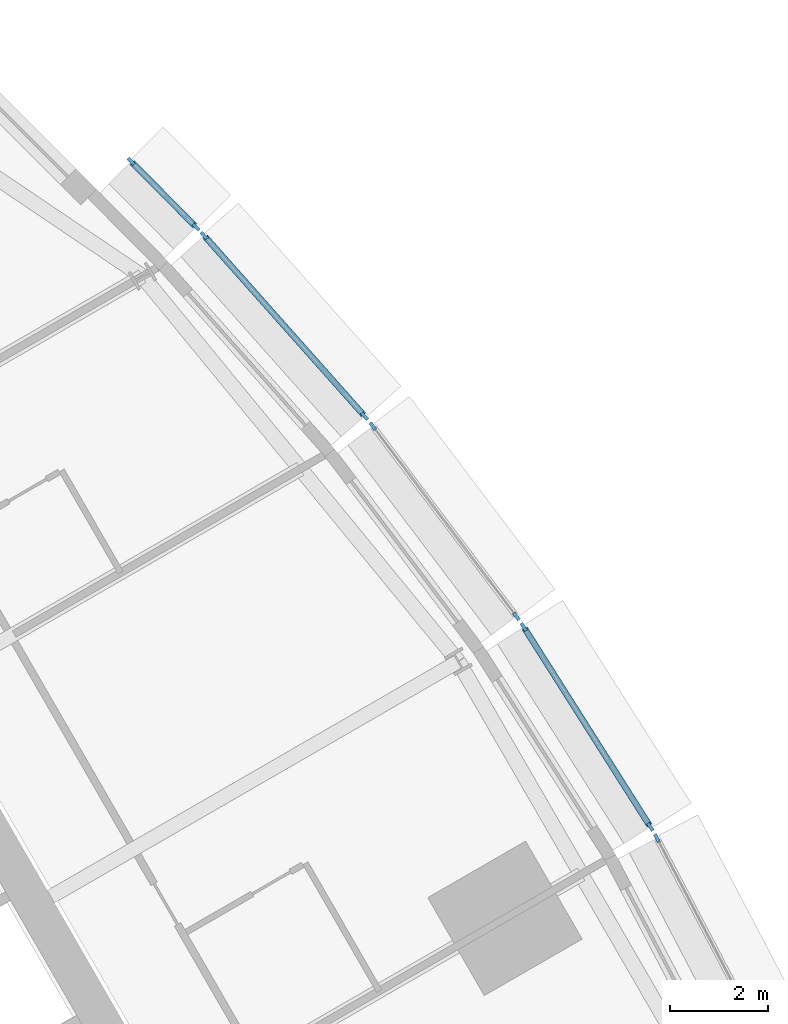
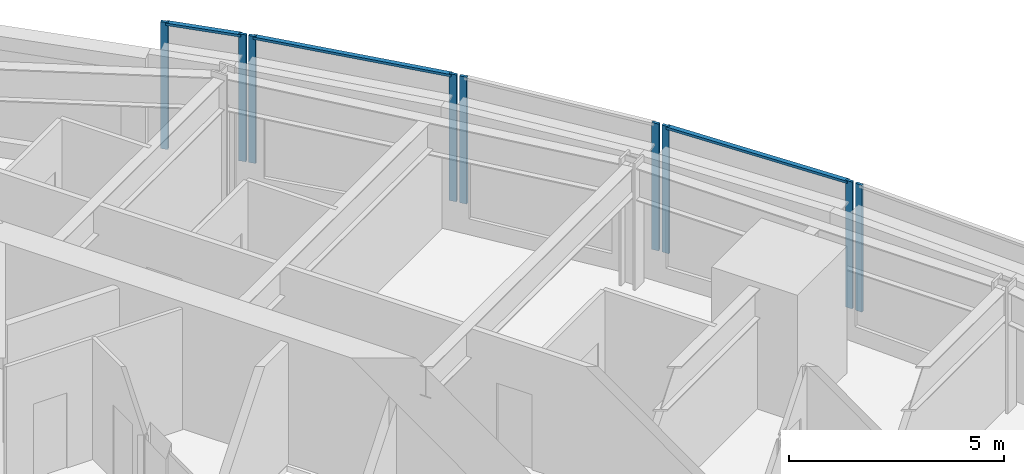
# One storey, part 6 of 15: 12 members, 5 elements without a shape of their own.
"""IFC4 building model written with IfcOpenShell, lengths in metres."""

from ifc_helpers import new_model, si_unit, direction, frame, origin, origin_2d, place, context, subcontext, project, spatial, rectangle, extrude, material, material_profile, profile_set, type_object, element, aggregate, save


model = new_model("IFC4")

# Units and contexts
model_context = context("Model", 3, precision=1e-05, world=origin(), true_north=direction((0.0, 1.0)))
body_context = subcontext(model_context, "Body", "Model", "MODEL_VIEW")
ifc_project = project(units=[si_unit("LENGTHUNIT", "METRE"), si_unit("AREAUNIT", "SQUARE_METRE"), si_unit("VOLUMEUNIT", "CUBIC_METRE"), si_unit("PLANEANGLEUNIT", "RADIAN"), si_unit("MASSUNIT", "GRAM", prefix="KILO")], contexts=[model_context])

# Site, building, storey
site_placement = place(None, origin())
site = spatial("IfcSite", under=ifc_project, at=site_placement, CompositionType="ELEMENT")
building_placement = place(site_placement, origin())
building = spatial("IfcBuilding", under=site, at=building_placement, Name="Trikona Tower", CompositionType="ELEMENT")
storey_placement = place(building_placement, frame((0.0, 0.0, 204.5)))
storey = spatial("IfcBuildingStorey", under=building, at=storey_placement, Name="L54", CompositionType="ELEMENT", Elevation=204.5)

# Curtain wall, member
ifc_material_1 = material(Name="Aluminium curtain wall system", Category="aluminium")
curtain_wall_type = type_object("IfcCurtainWallType", Name="Curtain wall DS3", PredefinedType="NOTDEFINED", material=ifc_material_1)
curtain_wall_1_placement = place(storey_placement, origin())
curtain_wall_1 = element("IfcCurtainWall", 1, at=curtain_wall_1_placement, inside=storey, type_object=curtain_wall_type, Name="Curtain wall DS3 L54", PredefinedType="NOTDEFINED")
ifc_material_2 = material(Name="Aluminium mullion, pale anodised", Category="aluminium")
ifc_material_profile_1 = material_profile(ifc_material_2, rectangle(XDim=0.070068359375, YDim=0.179931640625, at=origin_2d()), Name="MUL-DS3")
ifc_profile_set_1 = profile_set([ifc_material_profile_1], Name="Aluminium mullion, pale anodised")
member_type_1 = type_object("IfcMemberType", Name="Mullion DS3 70x180", PredefinedType="MULLION", material=ifc_profile_set_1)
member_1_placement = place(storey_placement, frame((18.40234375, 10.472412109375, 0.0), z_axis=(0.0, 0.0, 1.0), x_axis=(-0.885862390527, -0.463948084434, 0.0)))
member_1 = element("IfcMember", 2, at=member_1_placement, type_object=member_type_1, Name="CW-DS3 mullion 2", PredefinedType="MULLION", context=body_context, shape_type="SweptSolid", body=[
    extrude(rectangle(XDim=0.070068359375, YDim=0.179931640625, at=origin_2d()), origin(), (0.0, 0.0, 1.0), 3.60009765625),
])
aggregate(curtain_wall_1, [member_1])

# Curtain wall, members
curtain_wall_2_placement = place(storey_placement, origin())
curtain_wall_2 = element("IfcCurtainWall", 3, at=curtain_wall_2_placement, inside=storey, type_object=curtain_wall_type, Name="Curtain wall DS3 L54", PredefinedType="NOTDEFINED")
member_2_placement = place(storey_placement, frame((18.2705078125, 10.700927734375, 0.0), z_axis=(0.0, 0.0, 1.0), x_axis=(-0.844727131858, -0.535197227854, 0.0)))
member_2 = element("IfcMember", 4, at=member_2_placement, type_object=member_type_1, Name="CW-DS3 mullion 1", PredefinedType="MULLION", context=body_context, shape_type="SweptSolid", body=[
    extrude(rectangle(XDim=0.070068359375, YDim=0.179931640625, at=origin_2d()), origin(), (0.0, 0.0, 1.0), 3.60009765625),
])
member_3_placement = place(storey_placement, frame((15.69384765625, 14.767578125, 0.0), z_axis=(0.0, 0.0, 1.0), x_axis=(-0.844727131858, -0.535197227854, 0.0)))
member_3 = element("IfcMember", 5, at=member_3_placement, type_object=member_type_1, Name="CW-DS3 mullion 2", PredefinedType="MULLION", context=body_context, shape_type="SweptSolid", body=[
    extrude(rectangle(XDim=0.070068359375, YDim=0.179931640625, at=origin_2d()), origin(), (0.0, 0.0, 1.0), 3.60009765625),
])

curtain_wall_3_placement = place(storey_placement, origin())
curtain_wall_3 = element("IfcCurtainWall", 6, at=curtain_wall_3_placement, inside=storey, type_object=curtain_wall_type, Name="Curtain wall DS3 L54", PredefinedType="NOTDEFINED")
member_4_placement = place(storey_placement, frame((15.5439453125, 14.984130859375, 0.0), z_axis=(0.0, 0.0, 1.0), x_axis=(-0.798193208724, -0.602401528506, 0.0)))
member_4 = element("IfcMember", 7, at=member_4_placement, type_object=member_type_1, Name="CW-DS3 mullion 1", PredefinedType="MULLION", context=body_context, shape_type="SweptSolid", body=[
    extrude(rectangle(XDim=0.070068359375, YDim=0.179931640625, at=origin_2d()), origin(), (0.0, 0.0, 1.0), 3.60009765625),
])
member_5_placement = place(storey_placement, frame((12.62353515625, 18.853759765625, 0.0), z_axis=(0.0, 0.0, 1.0), x_axis=(-0.798193208724, -0.602401528506, 0.0)))
member_5 = element("IfcMember", 8, at=member_5_placement, type_object=member_type_1, Name="CW-DS3 mullion 2", PredefinedType="MULLION", context=body_context, shape_type="SweptSolid", body=[
    extrude(rectangle(XDim=0.070068359375, YDim=0.179931640625, at=origin_2d()), origin(), (0.0, 0.0, 1.0), 3.60009765625),
])
aggregate(curtain_wall_3, [member_4, member_5])

curtain_wall_4_placement = place(storey_placement, origin())
curtain_wall_4 = element("IfcCurtainWall", 9, at=curtain_wall_4_placement, inside=storey, type_object=curtain_wall_type, Name="Curtain wall DS3 L54", PredefinedType="NOTDEFINED")
member_6_placement = place(storey_placement, frame((12.45751953125, 19.056396484375, 0.0), z_axis=(0.0, 0.0, 1.0), x_axis=(-0.747402677853, -0.664371309689, 0.0)))
member_6 = element("IfcMember", 10, at=member_6_placement, type_object=member_type_1, Name="CW-DS3 mullion 1", PredefinedType="MULLION", context=body_context, shape_type="SweptSolid", body=[
    extrude(rectangle(XDim=0.070068359375, YDim=0.179931640625, at=origin_2d()), origin(), (0.0, 0.0, 1.0), 3.60009765625),
])
member_7_placement = place(storey_placement, frame((9.192138671875, 22.729736328125, 0.0), z_axis=(0.0, 0.0, 1.0), x_axis=(-0.747402677853, -0.664371309689, 0.0)))
member_7 = element("IfcMember", 11, at=member_7_placement, type_object=member_type_1, Name="CW-DS3 mullion 2", PredefinedType="MULLION", context=body_context, shape_type="SweptSolid", body=[
    extrude(rectangle(XDim=0.070068359375, YDim=0.179931640625, at=origin_2d()), origin(), (0.0, 0.0, 1.0), 3.60009765625),
])

curtain_wall_5_placement = place(storey_placement, origin())
curtain_wall_5 = element("IfcCurtainWall", 12, at=curtain_wall_5_placement, inside=storey, type_object=curtain_wall_type, Name="Curtain wall DS3 L54", PredefinedType="NOTDEFINED")
member_8_placement = place(storey_placement, frame((9.028564453125, 22.904052734375, 0.0), z_axis=(0.0, 0.0, 1.0), x_axis=(-0.710051900554, -0.704149343903, 0.0)))
member_8 = element("IfcMember", 13, at=member_8_placement, type_object=member_type_1, Name="CW-DS3 mullion 1", PredefinedType="MULLION", context=body_context, shape_type="SweptSolid", body=[
    extrude(rectangle(XDim=0.070068359375, YDim=0.179931640625, at=origin_2d()), origin(), (0.0, 0.0, 1.0), 3.60009765625),
])
member_9_placement = place(storey_placement, frame((7.7060546875, 24.237548828125, 0.0), z_axis=(0.0, 0.0, 1.0), x_axis=(-0.710051900554, -0.704149343903, 0.0)))
member_9 = element("IfcMember", 14, at=member_9_placement, type_object=member_type_1, Name="CW-DS3 mullion 2", PredefinedType="MULLION", context=body_context, shape_type="SweptSolid", body=[
    extrude(rectangle(XDim=0.070068359375, YDim=0.179931640625, at=origin_2d()), origin(), (0.0, 0.0, 1.0), 3.60009765625),
])

# Member
ifc_material_3 = material(Name="Aluminium transom, pale anodised", Category="aluminium")
ifc_material_profile_2 = material_profile(ifc_material_3, rectangle(XDim=0.1201171875, YDim=0.070068359375, at=origin_2d()), Name="TRN-DS3")
ifc_profile_set_2 = profile_set([ifc_material_profile_2], Name="Aluminium transom, pale anodised")
member_type_2 = type_object("IfcMemberType", Name="Transom DS3 70x120", PredefinedType="USERDEFINED", material=ifc_profile_set_2)
member_10_placement = place(storey_placement, frame((18.251708984375, 10.73046875, 3.56494140625), z_axis=(-0.535192866729, 0.844729894938, 0.0), x_axis=(-0.844729894938, -0.535192866729, 0.0)))
member_10 = element("IfcMember", 15, at=member_10_placement, type_object=member_type_2, Name="CW-DS3 transom 1.1", ObjectType="TRANSOM", PredefinedType="USERDEFINED", context=body_context, shape_type="SweptSolid", body=[
    extrude(rectangle(XDim=0.1201171875, YDim=0.070068359375, at=origin_2d()), origin(), (0.0, 0.0, 1.0), 4.744140625),
])

aggregate(curtain_wall_2, [member_2, member_3, member_10])

member_11_placement = place(storey_placement, frame((12.43408203125, 19.08251953125, 3.56494140625), z_axis=(-0.66436383883, 0.747409318684, 0.0), x_axis=(-0.747409318684, -0.66436383883, 0.0)))
member_11 = element("IfcMember", 16, at=member_11_placement, type_object=member_type_2, Name="CW-DS3 transom 1.1", ObjectType="TRANSOM", PredefinedType="USERDEFINED", context=body_context, shape_type="SweptSolid", body=[
    extrude(rectangle(XDim=0.1201171875, YDim=0.070068359375, at=origin_2d()), origin(), (0.0, 0.0, 1.0), 4.844970703125),
])

aggregate(curtain_wall_4, [member_6, member_7, member_11])

member_12_placement = place(storey_placement, frame((9.00390625, 22.9287109375, 3.56494140625), z_axis=(-0.704130668076, 0.710070420645, 0.0), x_axis=(-0.710070420645, -0.704130668076, 0.0)))
member_12 = element("IfcMember", 17, at=member_12_placement, type_object=member_type_2, Name="CW-DS3 transom 1.1", ObjectType="TRANSOM", PredefinedType="USERDEFINED", context=body_context, shape_type="SweptSolid", body=[
    extrude(rectangle(XDim=0.1201171875, YDim=0.070068359375, at=origin_2d()), origin(), (0.0, 0.0, 1.0), 1.80859375),
])

aggregate(curtain_wall_5, [member_8, member_9, member_12])

save(model, "model.ifc")
